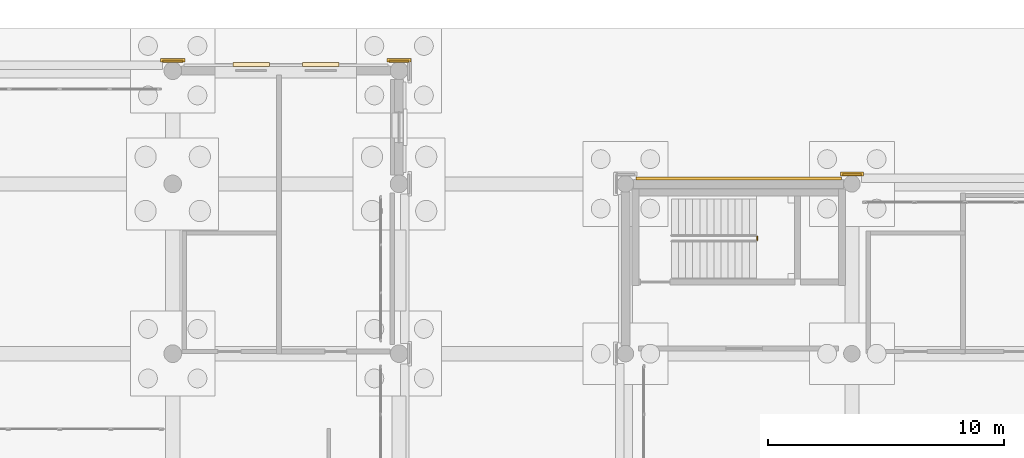
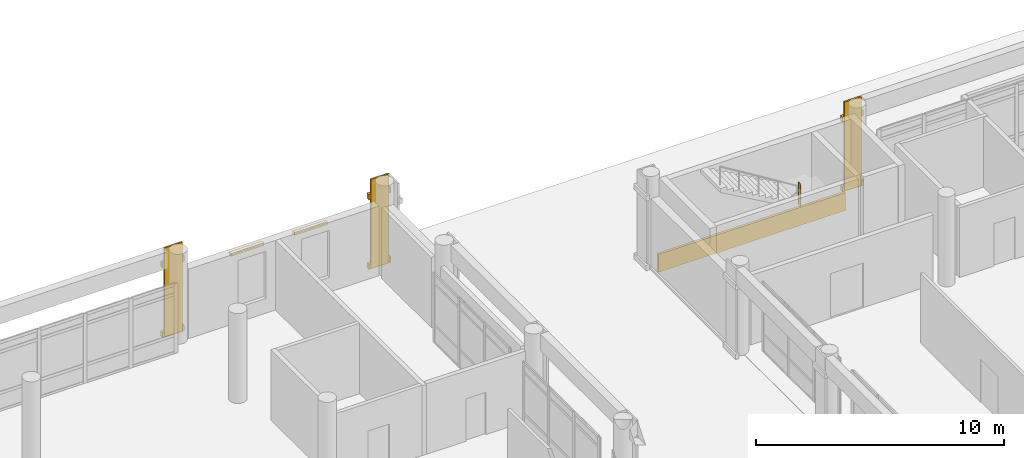
# One storey, part 189 of 196: 12 coverings, 1 railing.
"""IFC4 building model written with IfcOpenShell, lengths in metres."""

import ifcopenshell
import ifcopenshell.guid

model = None  # the IFC model being written
_history = None  # IfcOwnerHistory: only IFC2X3 demands one
_inside = {}  # id of a spatial element -> (the spatial element, [elements in it])
_under = {}  # id of a project, library or spatial element -> (it, [spatial elements below it])
_declared = {}  # id of a project -> (the project, [libraries it declares])
_typed = {}  # id of a type object -> (the type object, [elements of that type])
_made_of = {}  # id of a material, layer set ... -> (it, [elements and type objects made of it])


def new_model(schema):
    """Start an empty IFC model of exactly this schema.

    Asked for "IFC4X3", IfcOpenShell would pick the latest addendum, in which some entities
    have other attributes; the version numbers below select the first issue.
    IFC2X3 requires an IfcOwnerHistory on every rooted entity: one is made here for all.
    """
    global model, _history
    if schema == "IFC4X3":
        model = ifcopenshell.file(schema_version=(4, 3, 0, 0))
    else:
        model = ifcopenshell.file(schema=schema)
    _inside.clear()
    _under.clear()
    _declared.clear()
    _typed.clear()
    _made_of.clear()
    _history = None
    if model.schema == "IFC2X3":
        org = make("IfcOrganization", Name="unknown")
        user = make(
            "IfcPersonAndOrganization",
            ThePerson=make("IfcPerson", FamilyName="unknown"),
            TheOrganization=org,
        )
        app = make(
            "IfcApplication",
            ApplicationDeveloper=org,
            Version="unknown",
            ApplicationFullName="unknown",
            ApplicationIdentifier="unknown",
        )
        _history = make(
            "IfcOwnerHistory",
            OwningUser=user,
            OwningApplication=app,
            ChangeAction="ADDED",
            CreationDate=0,
        )
    return model


def make(cls, **values):
    """One entity of the class cls with the attributes given. An attribute that is None is left unset."""
    return model.create_entity(
        cls, **{name: value for name, value in values.items() if value is not None}
    )


def rooted(cls, **values):
    """An entity with a GlobalId (a new one), such as an element, a storey or a relation."""
    return make(cls, GlobalId=ifcopenshell.guid.new(), OwnerHistory=_history, **values)


def si_unit(unit_type, name, prefix=None):
    """IfcSIUnit, for example si_unit("LENGTHUNIT", "METRE", prefix="MILLI")."""
    return make("IfcSIUnit", UnitType=unit_type, Prefix=prefix, Name=name)


def assignment(units):
    """IfcUnitAssignment: the units of a project."""
    return None if units is None else make("IfcUnitAssignment", Units=units)


def point(xyz):
    """IfcCartesianPoint."""
    return None if xyz is None else make("IfcCartesianPoint", Coordinates=xyz)


def direction(xyz):
    """IfcDirection."""
    return None if xyz is None else make("IfcDirection", DirectionRatios=xyz)


def frame(location, z_axis=None, x_axis=None):
    """IfcAxis2Placement3D, a coordinate frame: its origin and axes. An axis left out is left unset."""
    return make(
        "IfcAxis2Placement3D",
        Location=point(location),
        Axis=direction(z_axis),
        RefDirection=direction(x_axis),
    )


def frame_2d(location, x_axis=None):
    """IfcAxis2Placement2D, a coordinate frame in the plane: its origin and x axis."""
    return make(
        "IfcAxis2Placement2D", Location=point(location), RefDirection=direction(x_axis)
    )


def origin():
    """The frame at (0, 0, 0) with its axes left unset."""
    return frame((0.0, 0.0, 0.0))


def origin_2d():
    """The frame at (0, 0) in the plane with its x axis left unset."""
    return frame_2d((0.0, 0.0))


def place(relative_to, where):
    """IfcLocalPlacement: puts the frame where relative to a parent placement (None: the world)."""
    return make(
        "IfcLocalPlacement", PlacementRelTo=relative_to, RelativePlacement=where
    )


def context(
    kind, dimensions, precision=None, world=None, true_north=None, identifier=None
):
    """IfcGeometricRepresentationContext, for example the 3D "Model" context."""
    return make(
        "IfcGeometricRepresentationContext",
        ContextIdentifier=identifier,
        ContextType=kind,
        CoordinateSpaceDimension=dimensions,
        Precision=precision,
        WorldCoordinateSystem=world,
        TrueNorth=true_north,
    )


def subcontext(parent, identifier, kind, view, scale=None):
    """IfcGeometricRepresentationSubContext, for example "Body" below "Model"."""
    return make(
        "IfcGeometricRepresentationSubContext",
        ContextIdentifier=identifier,
        ContextType=kind,
        ParentContext=parent,
        TargetScale=scale,
        TargetView=view,
    )


def project(units=None, contexts=None):
    """IfcProject with its units and contexts."""
    return rooted(
        "IfcProject",
        Name="project",
        RepresentationContexts=contexts,
        UnitsInContext=assignment(units),
    )


def spatial(cls, under=None, at=None, **own):
    """A site, building, storey or space (cls), placed at a placement, below another one or the project."""
    s = rooted(cls, ObjectPlacement=at, **own)
    if under is not None:
        _under.setdefault(under.id(), (under, []))[1].append(s)
    return s


def profile(cls, at=None, kind="AREA", **sizes):
    """A parametric profile (cls). Its sizes go by their IFC names, for example OverallWidth=200.0."""
    return make(cls, ProfileType=kind, Position=at, **sizes)


def rectangle(**sizes):
    """IfcRectangleProfileDef."""
    return profile("IfcRectangleProfileDef", **sizes)


def circle(**sizes):
    """IfcCircleProfileDef."""
    return profile("IfcCircleProfileDef", **sizes)


def extrude(swept, where, along, depth):
    """IfcExtrudedAreaSolid: the profile swept, set in the frame where, extruded along a direction by depth."""
    return make(
        "IfcExtrudedAreaSolid",
        SweptArea=swept,
        Position=where,
        ExtrudedDirection=direction(along),
        Depth=depth,
    )


def shape(context_of_items, identifier, shape_type, items):
    """IfcShapeRepresentation: the items that make up one representation, for example the "Body"."""
    return make(
        "IfcShapeRepresentation",
        ContextOfItems=context_of_items,
        RepresentationIdentifier=identifier,
        RepresentationType=shape_type,
        Items=items,
    )


def material(Name=None, Category=None):
    """IfcMaterial."""
    return make("IfcMaterial", Name=Name, Category=Category)


def layer(
    of_material, thickness, ventilated=None, Name=None, Category=None, Priority=None
):
    """IfcMaterialLayer: one layer of a wall or slab, of a material (None: an air gap)."""
    return make(
        "IfcMaterialLayer",
        Material=of_material,
        LayerThickness=thickness,
        IsVentilated=ventilated,
        Name=Name,
        Category=Category,
        Priority=Priority,
    )


def layer_set(layers, Name=None):
    """IfcMaterialLayerSet."""
    return make("IfcMaterialLayerSet", MaterialLayers=layers, LayerSetName=Name)


def made_of(thing, what):
    """Note that an element or type object is made of a material, layer set ...; save() writes the relation."""
    if what is not None:
        _made_of.setdefault(what.id(), (what, []))[1].append(thing)
    return thing


def type_object(cls, material=None, **own):
    """A type object (cls), such as IfcWallType, which elements share."""
    return made_of(rooted(cls, **own), material)


def element(
    cls,
    number,
    at=None,
    inside=None,
    cuts=None,
    type_object=None,
    material=None,
    context=None,
    identifier="Body",
    shape_type=None,
    held_by="IfcProductDefinitionShape",
    body=None,
    shapes=None,
    **own,
):
    """One element of the class cls, such as IfcWall. Its Tag is "e" and its number.

    at: its placement. inside: the storey or other place that contains it. cuts: it is an
    opening in that element (IfcRelVoidsElement). A single representation is given by context,
    identifier, shape_type and body (its items); several are given by shapes. held_by: the class
    of the entity that holds the representations. save() writes the other relations.
    """
    e = rooted(cls, Tag="e%d" % number, ObjectPlacement=at, **own)
    if body is not None:
        shapes = [shape(context, identifier, shape_type, body)]
    if shapes is not None:
        e.Representation = make(held_by, Representations=shapes)
    if inside is not None:
        _inside.setdefault(inside.id(), (inside, []))[1].append(e)
    if cuts is not None:
        rooted(
            "IfcRelVoidsElement", RelatingBuildingElement=cuts, RelatedOpeningElement=e
        )
    if type_object is not None:
        _typed.setdefault(type_object.id(), (type_object, []))[1].append(e)
    return made_of(e, material)


def aggregate(whole, parts):
    """IfcRelAggregates: a whole, such as a stair, and the parts it consists of."""
    return rooted("IfcRelAggregates", RelatingObject=whole, RelatedObjects=parts)


def save(model, path):
    """Write the relations noted so far, then the file.

    IfcRelAggregates (storeys below a building ...), IfcRelContainedInSpatialStructure (elements
    in a storey), IfcRelDefinesByType, IfcRelAssociatesMaterial and IfcRelDeclares: one each for
    every whole, place, type object, material and project.
    """
    for whole, parts in _under.values():
        aggregate(whole, parts)
    for where, things in _inside.values():
        rooted(
            "IfcRelContainedInSpatialStructure",
            RelatedElements=things,
            RelatingStructure=where,
        )
    for kind, things in _typed.values():
        rooted("IfcRelDefinesByType", RelatedObjects=things, RelatingType=kind)
    for what, things in _made_of.values():
        rooted("IfcRelAssociatesMaterial", RelatedObjects=things, RelatingMaterial=what)
    for by, libraries in _declared.values():
        rooted("IfcRelDeclares", RelatingContext=by, RelatedDefinitions=libraries)
    model.write(path)


model = new_model("IFC4")

# Units and contexts
model_context = context("Model", 3, precision=1e-05, world=origin(), true_north=direction((0.0, 1.0)))
body_context = subcontext(model_context, "Body", "Model", "MODEL_VIEW")
ifc_project = project(units=[si_unit("LENGTHUNIT", "METRE"), si_unit("AREAUNIT", "SQUARE_METRE"), si_unit("VOLUMEUNIT", "CUBIC_METRE"), si_unit("PLANEANGLEUNIT", "RADIAN"), si_unit("MASSUNIT", "GRAM", prefix="KILO")], contexts=[model_context])

# Site, building, storey
site_placement = place(None, origin())
site = spatial("IfcSite", under=ifc_project, at=site_placement, CompositionType="ELEMENT")
building_placement = place(site_placement, origin())
building = spatial("IfcBuilding", under=site, at=building_placement, Name="Asteropetra Specialist Clinic", CompositionType="ELEMENT")
storey_placement = place(building_placement, origin())
storey = spatial("IfcBuildingStorey", under=building, at=storey_placement, Name="L00", CompositionType="ELEMENT", Elevation=0.0)

# Coverings
ifc_material_1 = material(Name="Pentelic marble ashlar", Category="masonry")
ifc_layer = layer(ifc_material_1, 0.159912109375)
ifc_layer_set = layer_set([ifc_layer], Name="Pentelic marble ashlar")
covering_type = type_object("IfcCoveringType", Name="CRN-ENTAB-600", PredefinedType="MOLDING", material=ifc_layer_set)
covering_1_placement = place(storey_placement, frame((96.0, 105.98193359375, 0.02001953125), z_axis=(0.0, 0.0, 1.0), x_axis=(1.0, 0.0, 0.0)))
element("IfcCovering", 1, at=covering_1_placement, inside=storey, type_object=covering_type, Name="Neoclassical Pilaster Facing CM-0121", PredefinedType="MOLDING", context=body_context, shape_type="SweptSolid", body=[
    extrude(rectangle(XDim=0.780029296875, YDim=0.080078125, at=origin_2d()), origin(), (0.0, 0.0, 1.0), 4.3798828125),
])
for number, where, z_axis, x_axis, name in (
    (2, (96.0, 106.02197265625, 0.009765625), (0.0, 0.0, 1.0), (1.0, 0.0, 0.0), "Doric Base CC-0122"),
    (3, (96.0, 106.02197265625, 3.43017578125), (0.0, 0.0, 1.0), (1.0, 0.0, 0.0), "Doric Capital CC-0123"),
):
    element("IfcCovering", number, at=place(storey_placement, frame(where, z_axis=z_axis, x_axis=x_axis)), inside=storey, type_object=covering_type, Name=name, PredefinedType="MOLDING", context=body_context, shape_type="SweptSolid", body=[
        extrude(rectangle(XDim=0.97998046875, YDim=0.159912109375, at=origin_2d()), origin(), (0.0, 0.0, 1.0), 0.260009765625),
    ])
covering_2_placement = place(storey_placement, frame((67.199951171875, 110.806884765625, 0.02001953125), z_axis=(0.0, 0.0, 1.0), x_axis=(1.0, 0.0, 0.0)))
element("IfcCovering", 4, at=covering_2_placement, inside=storey, type_object=covering_type, Name="Neoclassical Pilaster Facing CM-0523", PredefinedType="MOLDING", context=body_context, shape_type="SweptSolid", body=[
    extrude(rectangle(XDim=0.830078125, YDim=0.080078125, at=origin_2d()), origin(), (0.0, 0.0, 1.0), 4.3798828125),
])
for number, where, z_axis, x_axis, name in (
    (5, (67.199951171875, 110.846923828125, 0.009765625), (0.0, 0.0, 1.0), (1.0, 0.0, 0.0), "Doric Base CC-0524"),
    (6, (67.199951171875, 110.846923828125, 3.43017578125), (0.0, 0.0, 1.0), (1.0, 0.0, 0.0), "Doric Capital CC-0525"),
):
    element("IfcCovering", number, at=place(storey_placement, frame(where, z_axis=z_axis, x_axis=x_axis)), inside=storey, type_object=covering_type, Name=name, PredefinedType="MOLDING", context=body_context, shape_type="SweptSolid", body=[
        extrude(rectangle(XDim=1.030029296875, YDim=0.159912109375, at=origin_2d()), origin(), (0.0, 0.0, 1.0), 0.260009765625),
    ])
covering_3_placement = place(storey_placement, frame((76.800048828125, 110.806884765625, 0.02001953125), z_axis=(0.0, 0.0, 1.0), x_axis=(1.0, 0.0, 0.0)))
element("IfcCovering", 7, at=covering_3_placement, inside=storey, type_object=covering_type, Name="Neoclassical Pilaster Facing CM-0547", PredefinedType="MOLDING", context=body_context, shape_type="SweptSolid", body=[
    extrude(rectangle(XDim=0.830078125, YDim=0.080078125, at=origin_2d()), origin(), (0.0, 0.0, 1.0), 4.3798828125),
])
for number, where, z_axis, x_axis, name in (
    (8, (76.800048828125, 110.846923828125, 0.009765625), (0.0, 0.0, 1.0), (1.0, 0.0, 0.0), "Doric Base CC-0548"),
    (9, (76.800048828125, 110.846923828125, 3.43017578125), (0.0, 0.0, 1.0), (1.0, 0.0, 0.0), "Doric Capital CC-0549"),
):
    element("IfcCovering", number, at=place(storey_placement, frame(where, z_axis=z_axis, x_axis=x_axis)), inside=storey, type_object=covering_type, Name=name, PredefinedType="MOLDING", context=body_context, shape_type="SweptSolid", body=[
        extrude(rectangle(XDim=1.030029296875, YDim=0.159912109375, at=origin_2d()), origin(), (0.0, 0.0, 1.0), 0.260009765625),
    ])
covering_4_placement = place(storey_placement, frame((91.199951171875, 105.830078125, -0.800048828125), z_axis=(0.0, 0.0, 1.0), x_axis=(1.0, 0.0, 0.0)))
element("IfcCovering", 10, at=covering_4_placement, inside=storey, type_object=covering_type, Name="Chevron Spandrel Band CV-1192", PredefinedType="MOLDING", context=body_context, shape_type="SweptSolid", body=[
    extrude(rectangle(XDim=8.699951171875, YDim=0.1201171875, at=origin_2d()), origin(), (0.0, 0.0, 1.0), 0.8798828125),
])
for number, where, z_axis, x_axis, name in (
    (11, (73.47509765625, 110.659912109375, 3.05029296875), (0.0, 0.0, 1.0), (1.0, 0.0, 0.0), "Classical Window Hood WH-1395"),
    (12, (70.52490234375, 110.659912109375, 3.05029296875), (0.0, 0.0, 1.0), (1.0, 0.0, 0.0), "Classical Window Hood WH-1396"),
):
    element("IfcCovering", number, at=place(storey_placement, frame(where, z_axis=z_axis, x_axis=x_axis)), inside=storey, type_object=covering_type, Name=name, PredefinedType="MOLDING", context=body_context, shape_type="SweptSolid", body=[
        extrude(rectangle(XDim=1.5400390625, YDim=0.159912109375, at=origin_2d()), origin(), (0.0, 0.0, 1.0), 0.139892578125),
    ])

# Railing
ifc_material_2 = material(Name="Steel S355 and laminated glass guard", Category="steel")
railing_type = type_object("IfcRailingType", Name="GRD-INT-1120", PredefinedType="GUARDRAIL", material=ifc_material_2)
railing_placement = place(storey_placement, frame((91.97998046875, 103.219970703125, 2.2099609375)))
element("IfcRailing", 13, at=railing_placement, inside=storey, type_object=railing_type, Name="Landing Slot Guard ST11-L00", PredefinedType="GUARDRAIL", context=body_context, shape_type="SweptSolid", body=[
    extrude(circle(Radius=0.02392578125, at=origin_2d()), frame((0.0, 0.0, 1.09619140625), z_axis=(0.0, 1.0, 0.0), x_axis=(-1.0, 0.0, 0.0)), (0.0, 0.0, 1.0), 0.14013671875),
    extrude(circle(Radius=0.02099609375, at=origin_2d()), origin(), (0.0, 0.0, 1.0), 1.072021484375),
    extrude(circle(Radius=0.02099609375, at=origin_2d()), frame((0.0, 0.14013671875, 0.0)), (0.0, 0.0, 1.0), 1.072021484375),
])

save(model, "model.ifc")
